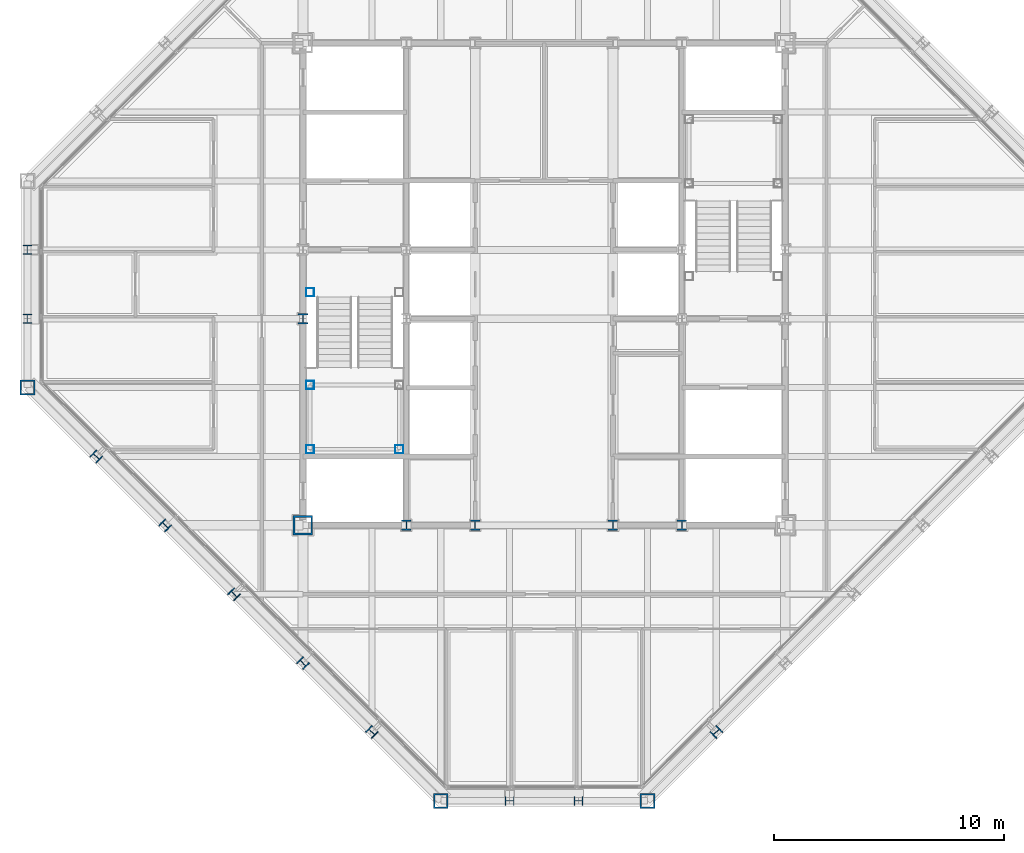
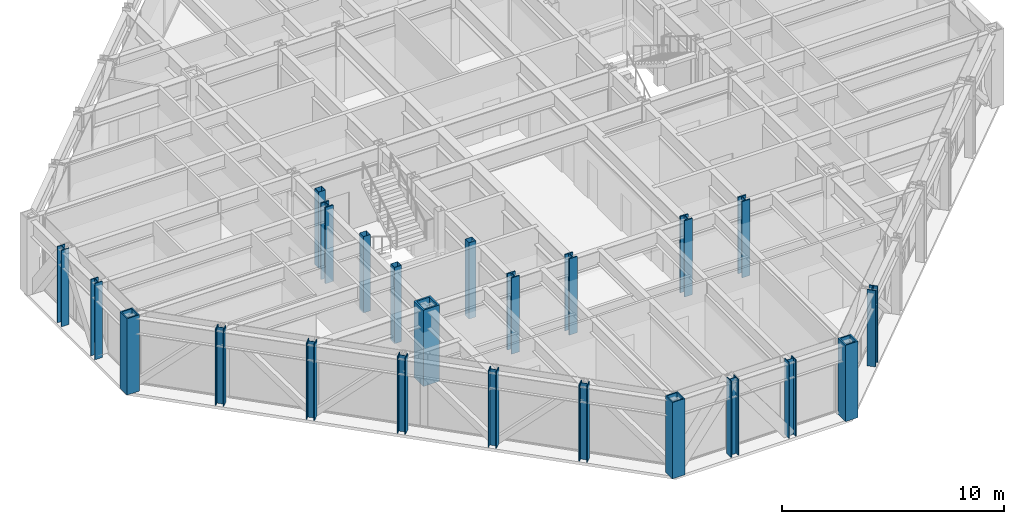
# One storey, part 1 of 15: 23 columns.
"""IFC4 building model written with IfcOpenShell, lengths in metres."""

from ifc_helpers import new_model, si_unit, direction, frame, origin, origin_2d, place, context, subcontext, project, spatial, hollow_rectangle, i_section, extrude, material, material_profile, profile_set, type_object, element, save


model = new_model("IFC4")

# Units and contexts
model_context = context("Model", 3, precision=1e-05, world=origin(), true_north=direction((0.0, 1.0)))
body_context = subcontext(model_context, "Body", "Model", "MODEL_VIEW")
ifc_project = project(units=[si_unit("LENGTHUNIT", "METRE"), si_unit("AREAUNIT", "SQUARE_METRE"), si_unit("VOLUMEUNIT", "CUBIC_METRE"), si_unit("PLANEANGLEUNIT", "RADIAN"), si_unit("MASSUNIT", "GRAM", prefix="KILO")], contexts=[model_context])

# Site, building, storey
site_placement = place(None, origin())
site = spatial("IfcSite", under=ifc_project, at=site_placement, CompositionType="ELEMENT")
building_placement = place(site_placement, origin())
building = spatial("IfcBuilding", under=site, at=building_placement, Name="Chuquiago Exchange Tower", CompositionType="ELEMENT")
storey_placement = place(building_placement, frame((0.0, 0.0, 295.800048828125)))
storey = spatial("IfcBuildingStorey", under=building, at=storey_placement, Name="L66", CompositionType="ELEMENT", Elevation=295.800048828125)

# Columns
ifc_material_1 = material(Name="Steel ASTM A992", Category="steel")
ifc_material_profile_1 = material_profile(ifc_material_1, i_section(OverallWidth=0.4013671875, OverallDepth=0.398681640625, WebThickness=0.02490234375, FlangeThickness=0.03955078125, at=origin_2d()), Name="W14X211")
ifc_profile_set_1 = profile_set([ifc_material_profile_1], Name="Steel ASTM A992")
column_type_1 = type_object("IfcColumnType", Name="C9 W14X211", PredefinedType="COLUMN", material=ifc_profile_set_1)
for number, where, z_axis, x_axis, name in (
    (1, (21.0, 0.0, 0.0), (0.0, 0.0, 1.0), (0.0, -1.0, 0.0), "COL-L66-21_0"),
    (2, (24.0, 0.0, 0.0), (0.0, 0.0, 1.0), (0.0, -1.0, 0.0), "COL-L66-24_0"),
    (3, (0.0, 24.0, 0.0), (0.0, 0.0, 1.0), (-1.0, 0.0, 0.0), "COL-L66-0_24"),
    (4, (0.0, 21.0, 0.0), (0.0, 0.0, 1.0), (-1.0, 0.0, 0.0), "COL-L66-0_21"),
):
    element("IfcColumn", number, at=place(storey_placement, frame(where, z_axis=z_axis, x_axis=x_axis)), inside=storey, type_object=column_type_1, Name=name, PredefinedType="COLUMN", context=body_context, shape_type="SweptSolid", body=[
        extrude(i_section(OverallWidth=0.4013671875, OverallDepth=0.398681640625, WebThickness=0.02490234375, FlangeThickness=0.03955078125, at=origin_2d()), origin(), (0.0, 0.0, 1.0), 4.199951171875),
    ])
ifc_material_2 = material(Name="Steel ASTM A572 Grade 50", Category="steel")
ifc_material_profile_2 = material_profile(ifc_material_2, hollow_rectangle(XDim=0.85009765625, YDim=0.85009765625, WallThickness=0.0849609375, at=origin_2d()), Name="BOX850X850X85")
ifc_profile_set_2 = profile_set([ifc_material_profile_2], Name="Steel ASTM A572 Grade 50")
column_type_2 = type_object("IfcColumnType", Name="CC6 BOX850X850X85", PredefinedType="COLUMN", material=ifc_profile_set_2)
column_placement = place(storey_placement, frame((12.0, 12.0, 0.0), z_axis=(0.0, 0.0, 1.0), x_axis=(1.0, 0.0, 0.0)))
element("IfcColumn", 5, at=column_placement, inside=storey, type_object=column_type_2, Name="CCOL-L66-12_12", PredefinedType="COLUMN", context=body_context, shape_type="SweptSolid", body=[
    extrude(hollow_rectangle(XDim=0.85009765625, YDim=0.85009765625, WallThickness=0.0849609375, at=origin_2d()), origin(), (0.0, 0.0, 1.0), 4.199951171875),
])
ifc_material_3 = material(Name="Steel ASTM A992", Category="steel")
ifc_material_profile_3 = material_profile(ifc_material_3, i_section(OverallWidth=0.41650390625, OverallDepth=0.444580078125, WebThickness=0.0390625, FlangeThickness=0.062744140625, at=origin_2d()), Name="W14X342")
ifc_profile_set_3 = profile_set([ifc_material_profile_3], Name="Steel ASTM A992")
column_type_3 = type_object("IfcColumnType", Name="CC9 W14X342", PredefinedType="COLUMN", material=ifc_profile_set_3)
for number, where, z_axis, x_axis, name in (
    (6, (16.5, 12.0, 0.0), (0.0, 0.0, 1.0), (1.0, 0.0, 0.0), "CCOL-L66-16.5_12"),
    (7, (19.5, 12.0, 0.0), (0.0, 0.0, 1.0), (1.0, 0.0, 0.0), "CCOL-L66-19.5_12"),
    (8, (25.5, 12.0, 0.0), (0.0, 0.0, 1.0), (1.0, 0.0, 0.0), "CCOL-L66-25.5_12"),
    (9, (28.5, 12.0, 0.0), (0.0, 0.0, 1.0), (1.0, 0.0, 0.0), "CCOL-L66-28.5_12"),
    (10, (12.0, 21.0, 0.0), (0.0, 0.0, 1.0), (1.0, 0.0, 0.0), "CCOL-L66-12_21"),
):
    element("IfcColumn", number, at=place(storey_placement, frame(where, z_axis=z_axis, x_axis=x_axis)), inside=storey, type_object=column_type_3, Name=name, PredefinedType="COLUMN", context=body_context, shape_type="SweptSolid", body=[
        extrude(i_section(OverallWidth=0.41650390625, OverallDepth=0.444580078125, WebThickness=0.0390625, FlangeThickness=0.062744140625, at=origin_2d()), origin(), (0.0, 0.0, 1.0), 4.199951171875),
    ])
ifc_material_4 = material(Name="Steel ASTM A992", Category="steel")
ifc_material_profile_4 = material_profile(ifc_material_4, i_section(OverallWidth=0.40380859375, OverallDepth=0.406494140625, WebThickness=0.027099609375, FlangeThickness=0.043701171875, at=origin_2d()), Name="W14X233")
ifc_profile_set_4 = profile_set([ifc_material_profile_4], Name="Steel ASTM A992")
column_type_4 = type_object("IfcColumnType", Name="CK8 W14X233", PredefinedType="COLUMN", material=ifc_profile_set_4)
for number, where, z_axis, x_axis, name in (
    (11, (30.0, 3.0, 0.0), (0.0, 0.0, 1.0), (0.707106781187, -0.707106781187, 0.0), "COL-L66-30_3"),
    (12, (3.0, 15.0, 0.0), (0.0, 0.0, 1.0), (-0.707106781187, -0.707106781187, 0.0), "COL-L66-3_15"),
    (13, (6.0, 12.0, 0.0), (0.0, 0.0, 1.0), (-0.707106781187, -0.707106781187, 0.0), "COL-L66-6_12"),
    (14, (9.0, 9.0, 0.0), (0.0, 0.0, 1.0), (-0.707106781187, -0.707106781187, 0.0), "COL-L66-9_9"),
    (15, (12.0, 6.0, 0.0), (0.0, 0.0, 1.0), (-0.707106781187, -0.707106781187, 0.0), "COL-L66-12_6"),
    (16, (15.0, 3.0, 0.0), (0.0, 0.0, 1.0), (-0.707106781187, -0.707106781187, 0.0), "COL-L66-15_3"),
):
    element("IfcColumn", number, at=place(storey_placement, frame(where, z_axis=z_axis, x_axis=x_axis)), inside=storey, type_object=column_type_4, Name=name, PredefinedType="COLUMN", context=body_context, shape_type="SweptSolid", body=[
        extrude(i_section(OverallWidth=0.40380859375, OverallDepth=0.406494140625, WebThickness=0.027099609375, FlangeThickness=0.043701171875, at=origin_2d()), origin(), (0.0, 0.0, 1.0), 4.199951171875),
    ])
ifc_material_5 = material(Name="Steel ASTM A572 Grade 50", Category="steel")
ifc_material_profile_5 = material_profile(ifc_material_5, hollow_rectangle(XDim=0.64990234375, YDim=0.64990234375, WallThickness=0.06494140625, at=origin_2d()), Name="BOX650X650X65")
ifc_profile_set_5 = profile_set([ifc_material_profile_5], Name="Steel ASTM A572 Grade 50")
column_type_5 = type_object("IfcColumnType", Name="CN2 BOX650X650X65", PredefinedType="COLUMN", material=ifc_profile_set_5)
for number, where, z_axis, x_axis, name in (
    (17, (18.0, 0.0, 0.0), (0.0, 0.0, 1.0), (0.0, -1.0, 0.0), "COL-L66-18_0"),
    (18, (27.0, 0.0, 0.0), (0.0, 0.0, 1.0), (0.0, -1.0, 0.0), "COL-L66-27_0"),
    (19, (0.0, 18.0, 0.0), (0.0, 0.0, 1.0), (-1.0, 0.0, 0.0), "COL-L66-0_18"),
):
    element("IfcColumn", number, at=place(storey_placement, frame(where, z_axis=z_axis, x_axis=x_axis)), inside=storey, type_object=column_type_5, Name=name, PredefinedType="COLUMN", context=body_context, shape_type="SweptSolid", body=[
        extrude(hollow_rectangle(XDim=0.64990234375, YDim=0.64990234375, WallThickness=0.06494140625, at=origin_2d()), origin(), (0.0, 0.0, 1.0), 4.199951171875),
    ])
ifc_material_6 = material(Name="Steel ASTM A500 Grade C", Category="steel")
ifc_material_profile_6 = material_profile(ifc_material_6, hollow_rectangle(XDim=0.355712890625, YDim=0.355712890625, WallThickness=0.0087890625, at=origin_2d()), Name="HSS14X14X3/8")
ifc_profile_set_6 = profile_set([ifc_material_profile_6], Name="Steel ASTM A500 Grade C")
column_type_6 = type_object("IfcColumnType", Name="PT1 HSS14X14X3/8", PredefinedType="COLUMN", material=ifc_profile_set_6)
for number, where, z_axis, x_axis, name in (
    (20, (12.31005859375, 15.31005859375, 0.0), (0.0, 0.0, 1.0), (1.0, 0.0, 0.0), "Stair ST1 L66 landing post"),
    (21, (16.18994140625, 15.31005859375, 0.0), (0.0, 0.0, 1.0), (1.0, 0.0, 0.0), "Stair ST1 L66 landing post"),
    (22, (12.31005859375, 18.110107421875, 0.0), (0.0, 0.0, 1.0), (1.0, 0.0, 0.0), "Stair ST1 L66 landing post"),
    (23, (12.31005859375, 22.14990234375, 0.0), (0.0, 0.0, 1.0), (1.0, 0.0, 0.0), "Stair ST1 L66 landing post"),
):
    element("IfcColumn", number, at=place(storey_placement, frame(where, z_axis=z_axis, x_axis=x_axis)), inside=storey, type_object=column_type_6, Name=name, PredefinedType="COLUMN", context=body_context, shape_type="SweptSolid", body=[
        extrude(hollow_rectangle(XDim=0.355712890625, YDim=0.355712890625, WallThickness=0.0087890625, at=origin_2d()), origin(), (0.0, 0.0, 1.0), 4.199951171875),
    ])

save(model, "model.ifc")
